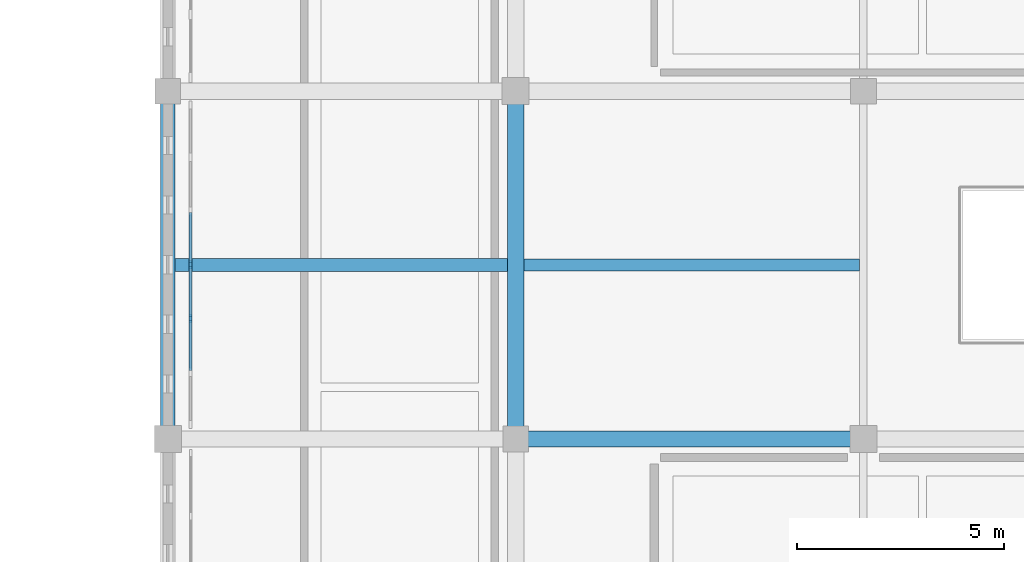
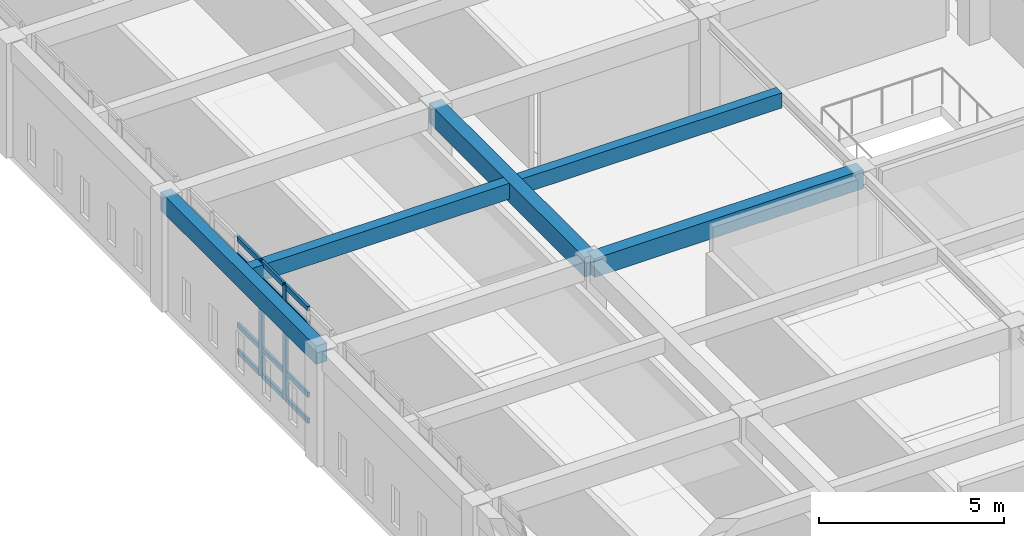
# One storey, part 7 of 47: 14 members, 5 beams, 1 element without a shape of its own.
"""IFC4 building model written with IfcOpenShell, lengths in metres."""

import ifcopenshell
import ifcopenshell.guid

model = None  # the IFC model being written
_history = None  # IfcOwnerHistory: only IFC2X3 demands one
_inside = {}  # id of a spatial element -> (the spatial element, [elements in it])
_under = {}  # id of a project, library or spatial element -> (it, [spatial elements below it])
_declared = {}  # id of a project -> (the project, [libraries it declares])
_typed = {}  # id of a type object -> (the type object, [elements of that type])
_made_of = {}  # id of a material, layer set ... -> (it, [elements and type objects made of it])


def new_model(schema):
    """Start an empty IFC model of exactly this schema.

    Asked for "IFC4X3", IfcOpenShell would pick the latest addendum, in which some entities
    have other attributes; the version numbers below select the first issue.
    IFC2X3 requires an IfcOwnerHistory on every rooted entity: one is made here for all.
    """
    global model, _history
    if schema == "IFC4X3":
        model = ifcopenshell.file(schema_version=(4, 3, 0, 0))
    else:
        model = ifcopenshell.file(schema=schema)
    _inside.clear()
    _under.clear()
    _declared.clear()
    _typed.clear()
    _made_of.clear()
    _history = None
    if model.schema == "IFC2X3":
        org = make("IfcOrganization", Name="unknown")
        user = make(
            "IfcPersonAndOrganization",
            ThePerson=make("IfcPerson", FamilyName="unknown"),
            TheOrganization=org,
        )
        app = make(
            "IfcApplication",
            ApplicationDeveloper=org,
            Version="unknown",
            ApplicationFullName="unknown",
            ApplicationIdentifier="unknown",
        )
        _history = make(
            "IfcOwnerHistory",
            OwningUser=user,
            OwningApplication=app,
            ChangeAction="ADDED",
            CreationDate=0,
        )
    return model


def make(cls, **values):
    """One entity of the class cls with the attributes given. An attribute that is None is left unset."""
    return model.create_entity(
        cls, **{name: value for name, value in values.items() if value is not None}
    )


def rooted(cls, **values):
    """An entity with a GlobalId (a new one), such as an element, a storey or a relation."""
    return make(cls, GlobalId=ifcopenshell.guid.new(), OwnerHistory=_history, **values)


def si_unit(unit_type, name, prefix=None):
    """IfcSIUnit, for example si_unit("LENGTHUNIT", "METRE", prefix="MILLI")."""
    return make("IfcSIUnit", UnitType=unit_type, Prefix=prefix, Name=name)


def assignment(units):
    """IfcUnitAssignment: the units of a project."""
    return None if units is None else make("IfcUnitAssignment", Units=units)


def point(xyz):
    """IfcCartesianPoint."""
    return None if xyz is None else make("IfcCartesianPoint", Coordinates=xyz)


def direction(xyz):
    """IfcDirection."""
    return None if xyz is None else make("IfcDirection", DirectionRatios=xyz)


def frame(location, z_axis=None, x_axis=None):
    """IfcAxis2Placement3D, a coordinate frame: its origin and axes. An axis left out is left unset."""
    return make(
        "IfcAxis2Placement3D",
        Location=point(location),
        Axis=direction(z_axis),
        RefDirection=direction(x_axis),
    )


def frame_2d(location, x_axis=None):
    """IfcAxis2Placement2D, a coordinate frame in the plane: its origin and x axis."""
    return make(
        "IfcAxis2Placement2D", Location=point(location), RefDirection=direction(x_axis)
    )


def origin():
    """The frame at (0, 0, 0) with its axes left unset."""
    return frame((0.0, 0.0, 0.0))


def origin_2d():
    """The frame at (0, 0) in the plane with its x axis left unset."""
    return frame_2d((0.0, 0.0))


def place(relative_to, where):
    """IfcLocalPlacement: puts the frame where relative to a parent placement (None: the world)."""
    return make(
        "IfcLocalPlacement", PlacementRelTo=relative_to, RelativePlacement=where
    )


def context(
    kind, dimensions, precision=None, world=None, true_north=None, identifier=None
):
    """IfcGeometricRepresentationContext, for example the 3D "Model" context."""
    return make(
        "IfcGeometricRepresentationContext",
        ContextIdentifier=identifier,
        ContextType=kind,
        CoordinateSpaceDimension=dimensions,
        Precision=precision,
        WorldCoordinateSystem=world,
        TrueNorth=true_north,
    )


def subcontext(parent, identifier, kind, view, scale=None):
    """IfcGeometricRepresentationSubContext, for example "Body" below "Model"."""
    return make(
        "IfcGeometricRepresentationSubContext",
        ContextIdentifier=identifier,
        ContextType=kind,
        ParentContext=parent,
        TargetScale=scale,
        TargetView=view,
    )


def project(units=None, contexts=None):
    """IfcProject with its units and contexts."""
    return rooted(
        "IfcProject",
        Name="project",
        RepresentationContexts=contexts,
        UnitsInContext=assignment(units),
    )


def spatial(cls, under=None, at=None, **own):
    """A site, building, storey or space (cls), placed at a placement, below another one or the project."""
    s = rooted(cls, ObjectPlacement=at, **own)
    if under is not None:
        _under.setdefault(under.id(), (under, []))[1].append(s)
    return s


def profile(cls, at=None, kind="AREA", **sizes):
    """A parametric profile (cls). Its sizes go by their IFC names, for example OverallWidth=200.0."""
    return make(cls, ProfileType=kind, Position=at, **sizes)


def rectangle(**sizes):
    """IfcRectangleProfileDef."""
    return profile("IfcRectangleProfileDef", **sizes)


def extrude(swept, where, along, depth):
    """IfcExtrudedAreaSolid: the profile swept, set in the frame where, extruded along a direction by depth."""
    return make(
        "IfcExtrudedAreaSolid",
        SweptArea=swept,
        Position=where,
        ExtrudedDirection=direction(along),
        Depth=depth,
    )


def shape(context_of_items, identifier, shape_type, items):
    """IfcShapeRepresentation: the items that make up one representation, for example the "Body"."""
    return make(
        "IfcShapeRepresentation",
        ContextOfItems=context_of_items,
        RepresentationIdentifier=identifier,
        RepresentationType=shape_type,
        Items=items,
    )


def material(Name=None, Category=None):
    """IfcMaterial."""
    return make("IfcMaterial", Name=Name, Category=Category)


def layer(
    of_material, thickness, ventilated=None, Name=None, Category=None, Priority=None
):
    """IfcMaterialLayer: one layer of a wall or slab, of a material (None: an air gap)."""
    return make(
        "IfcMaterialLayer",
        Material=of_material,
        LayerThickness=thickness,
        IsVentilated=ventilated,
        Name=Name,
        Category=Category,
        Priority=Priority,
    )


def layer_set(layers, Name=None):
    """IfcMaterialLayerSet."""
    return make("IfcMaterialLayerSet", MaterialLayers=layers, LayerSetName=Name)


def material_profile(
    of_material, cross_section, Name=None, Category=None, Priority=None
):
    """IfcMaterialProfile: a cross section and its material."""
    return make(
        "IfcMaterialProfile",
        Name=Name,
        Material=of_material,
        Profile=cross_section,
        Priority=Priority,
        Category=Category,
    )


def profile_set(profiles, Name=None, composite=None):
    """IfcMaterialProfileSet."""
    return make(
        "IfcMaterialProfileSet",
        Name=Name,
        MaterialProfiles=profiles,
        CompositeProfile=composite,
    )


def made_of(thing, what):
    """Note that an element or type object is made of a material, layer set ...; save() writes the relation."""
    if what is not None:
        _made_of.setdefault(what.id(), (what, []))[1].append(thing)
    return thing


def type_object(cls, material=None, **own):
    """A type object (cls), such as IfcWallType, which elements share."""
    return made_of(rooted(cls, **own), material)


def element(
    cls,
    number,
    at=None,
    inside=None,
    cuts=None,
    type_object=None,
    material=None,
    context=None,
    identifier="Body",
    shape_type=None,
    held_by="IfcProductDefinitionShape",
    body=None,
    shapes=None,
    **own,
):
    """One element of the class cls, such as IfcWall. Its Tag is "e" and its number.

    at: its placement. inside: the storey or other place that contains it. cuts: it is an
    opening in that element (IfcRelVoidsElement). A single representation is given by context,
    identifier, shape_type and body (its items); several are given by shapes. held_by: the class
    of the entity that holds the representations. save() writes the other relations.
    """
    e = rooted(cls, Tag="e%d" % number, ObjectPlacement=at, **own)
    if body is not None:
        shapes = [shape(context, identifier, shape_type, body)]
    if shapes is not None:
        e.Representation = make(held_by, Representations=shapes)
    if inside is not None:
        _inside.setdefault(inside.id(), (inside, []))[1].append(e)
    if cuts is not None:
        rooted(
            "IfcRelVoidsElement", RelatingBuildingElement=cuts, RelatedOpeningElement=e
        )
    if type_object is not None:
        _typed.setdefault(type_object.id(), (type_object, []))[1].append(e)
    return made_of(e, material)


def aggregate(whole, parts):
    """IfcRelAggregates: a whole, such as a stair, and the parts it consists of."""
    return rooted("IfcRelAggregates", RelatingObject=whole, RelatedObjects=parts)


def save(model, path):
    """Write the relations noted so far, then the file.

    IfcRelAggregates (storeys below a building ...), IfcRelContainedInSpatialStructure (elements
    in a storey), IfcRelDefinesByType, IfcRelAssociatesMaterial and IfcRelDeclares: one each for
    every whole, place, type object, material and project.
    """
    for whole, parts in _under.values():
        aggregate(whole, parts)
    for where, things in _inside.values():
        rooted(
            "IfcRelContainedInSpatialStructure",
            RelatedElements=things,
            RelatingStructure=where,
        )
    for kind, things in _typed.values():
        rooted("IfcRelDefinesByType", RelatedObjects=things, RelatingType=kind)
    for what, things in _made_of.values():
        rooted("IfcRelAssociatesMaterial", RelatedObjects=things, RelatingMaterial=what)
    for by, libraries in _declared.values():
        rooted("IfcRelDeclares", RelatingContext=by, RelatedDefinitions=libraries)
    model.write(path)


model = new_model("IFC4")

# Units and contexts
model_context = context("Model", 3, precision=1e-05, world=origin(), true_north=direction((0.0, 1.0)))
body_context = subcontext(model_context, "Body", "Model", "MODEL_VIEW")
ifc_project = project(units=[si_unit("LENGTHUNIT", "METRE"), si_unit("AREAUNIT", "SQUARE_METRE"), si_unit("VOLUMEUNIT", "CUBIC_METRE"), si_unit("PLANEANGLEUNIT", "RADIAN"), si_unit("MASSUNIT", "GRAM", prefix="KILO")], contexts=[model_context])

# Site, building, storey
site_placement = place(None, origin())
site = spatial("IfcSite", under=ifc_project, at=site_placement, CompositionType="ELEMENT")
building_placement = place(site_placement, origin())
building = spatial("IfcBuilding", under=site, at=building_placement, Name="Kveldsbrygga Polytechnic", CompositionType="ELEMENT")
storey_placement = place(building_placement, frame((0.0, 0.0, 13.93994140625)))
storey = spatial("IfcBuildingStorey", under=building, at=storey_placement, Name="L03", CompositionType="ELEMENT", Elevation=13.93994140625)

# Beams
ifc_material_1 = material(Name="Concrete C35/45", Category="concrete")
ifc_material_profile_1 = material_profile(ifc_material_1, rectangle(XDim=0.3798828125, YDim=0.6201171875, at=origin_2d()), Name="RC 380x620")
ifc_profile_set_1 = profile_set([ifc_material_profile_1], Name="Concrete C35/45")
beam_type_1 = type_object("IfcBeamType", Name="BM-RC-380x620", PredefinedType="BEAM", material=ifc_profile_set_1)
beam_1_placement = place(storey_placement, frame((134.39990234375, 58.800048828125, 3.43994140625), z_axis=(1.0, 0.0, 0.0), x_axis=(0.0, 1.0, 0.0)))
element("IfcBeam", 1, at=beam_1_placement, inside=storey, type_object=beam_type_1, Name="Primary Beam BMX-L03-16to17-07", PredefinedType="BEAM", context=body_context, shape_type="SweptSolid", body=[
    extrude(rectangle(XDim=0.3798828125, YDim=0.6201171875, at=origin_2d()), origin(), (0.0, 0.0, 1.0), 8.400146484375),
])
ifc_material_profile_2 = material_profile(ifc_material_1, rectangle(XDim=0.39990234375, YDim=0.64990234375, at=origin_2d()), Name="RC 400x650")
ifc_profile_set_2 = profile_set([ifc_material_profile_2], Name="Concrete C35/45")
beam_type_2 = type_object("IfcBeamType", Name="BM-RC-400x650", PredefinedType="BEAM", material=ifc_profile_set_2)
beam_2_placement = place(storey_placement, frame((134.39990234375, 58.800048828125, 3.425048828125), z_axis=(0.0, 1.0, 0.0), x_axis=(-1.0, 0.0, 0.0)))
element("IfcBeam", 2, at=beam_2_placement, inside=storey, type_object=beam_type_2, Name="Primary Beam BMY-L03-16-07to08", PredefinedType="BEAM", context=body_context, shape_type="SweptSolid", body=[
    extrude(rectangle(XDim=0.39990234375, YDim=0.64990234375, at=origin_2d()), origin(), (0.0, 0.0, 1.0), 8.39990234375),
])
ifc_material_profile_3 = material_profile(ifc_material_1, rectangle(XDim=0.35009765625, YDim=0.60009765625, at=origin_2d()), Name="RC 350x600")
ifc_profile_set_3 = profile_set([ifc_material_profile_3], Name="Concrete C35/45")
beam_type_3 = type_object("IfcBeamType", Name="BM-SPANDREL-600", PredefinedType="T_BEAM", material=ifc_profile_set_3)
beam_3_placement = place(storey_placement, frame((126.0, 58.800048828125, 3.449951171875), z_axis=(0.0, 1.0, 0.0), x_axis=(-1.0, 0.0, 0.0)))
element("IfcBeam", 3, at=beam_3_placement, inside=storey, type_object=beam_type_3, Name="Primary Beam BMY-L03-15-07to08", PredefinedType="T_BEAM", context=body_context, shape_type="SweptSolid", body=[
    extrude(rectangle(XDim=0.35009765625, YDim=0.60009765625, at=origin_2d()), origin(), (0.0, 0.0, 1.0), 8.39990234375),
])

# Curtain wall, members
ifc_material_2 = material(Name="Anodised aluminium AW-6060", Category="aluminium")
ifc_layer = layer(ifc_material_2, 0.159912109375)
ifc_layer_set = layer_set([ifc_layer], Name="Anodised aluminium AW-6060")
curtain_wall_type = type_object("IfcCurtainWallType", Name="CW-CLER-C", PredefinedType="USERDEFINED", material=ifc_layer_set)
curtain_wall_placement = place(storey_placement, origin())
curtain_wall = element("IfcCurtainWall", 4, at=curtain_wall_placement, inside=storey, type_object=curtain_wall_type, Name="Curtain Wall CW-L03-Y-15-07", ObjectType="STICK CURTAIN WALL", PredefinedType="USERDEFINED")
ifc_material_profile_4 = material_profile(ifc_material_2, rectangle(XDim=0.074951171875, YDim=0.199951171875, at=origin_2d()), Name="ALU 75x200")
ifc_profile_set_4 = profile_set([ifc_material_profile_4], Name="Anodised aluminium AW-6060")
member_type_1 = type_object("IfcMemberType", Name="CW-MUL-200", PredefinedType="MULLION", material=ifc_profile_set_4)
member_1_placement = place(storey_placement, frame((126.550048828125, 61.708251953125, 0.0), z_axis=(0.0, 0.0, 1.0), x_axis=(-1.0, 0.0, 0.0)))
member_1 = element("IfcMember", 5, at=member_1_placement, type_object=member_type_1, Name="CW-03 mullion 3", PredefinedType="MULLION", context=body_context, shape_type="SweptSolid", body=[
    extrude(rectangle(XDim=0.074951171875, YDim=0.199951171875, at=origin_2d()), origin(), (0.0, 0.0, 1.0), 3.780029296875),
])
member_2_placement = place(storey_placement, frame((126.550048828125, 63.007568359375, 0.0), z_axis=(0.0, 0.0, 1.0), x_axis=(-1.0, 0.0, 0.0)))
member_2 = element("IfcMember", 6, at=member_2_placement, type_object=member_type_1, Name="CW-03 mullion 4", PredefinedType="MULLION", context=body_context, shape_type="SweptSolid", body=[
    extrude(rectangle(XDim=0.074951171875, YDim=0.199951171875, at=origin_2d()), origin(), (0.0, 0.0, 1.0), 3.780029296875),
])
ifc_material_profile_5 = material_profile(ifc_material_2, rectangle(XDim=0.074951171875, YDim=0.159912109375, at=origin_2d()), Name="ALU 75x160")
ifc_profile_set_5 = profile_set([ifc_material_profile_5], Name="Anodised aluminium AW-6060")
member_type_2 = type_object("IfcMemberType", Name="CW-TRN-160", PredefinedType="USERDEFINED", material=ifc_profile_set_5)
member_3_placement = place(storey_placement, frame((126.550048828125, 60.44677734375, 0.03759765625), z_axis=(0.0, 1.0, 0.0), x_axis=(-1.0, 0.0, 0.0)))
member_3 = element("IfcMember", 7, at=member_3_placement, type_object=member_type_2, Name="CW-03 transom 2.1", ObjectType="TRANSOM", PredefinedType="USERDEFINED", context=body_context, shape_type="SweptSolid", body=[
    extrude(rectangle(XDim=0.074951171875, YDim=0.159912109375, at=origin_2d()), origin(), (0.0, 0.0, 1.0), 1.22412109375),
])
member_4_placement = place(storey_placement, frame((126.550048828125, 60.44677734375, 0.900146484375), z_axis=(0.0, 1.0, 0.0), x_axis=(-1.0, 0.0, 0.0)))
member_4 = element("IfcMember", 8, at=member_4_placement, type_object=member_type_2, Name="CW-03 transom 2.2", ObjectType="TRANSOM", PredefinedType="USERDEFINED", context=body_context, shape_type="SweptSolid", body=[
    extrude(rectangle(XDim=0.074951171875, YDim=0.159912109375, at=origin_2d()), origin(), (0.0, 0.0, 1.0), 1.22412109375),
])
member_5_placement = place(storey_placement, frame((126.550048828125, 60.44677734375, 3.22998046875), z_axis=(0.0, 1.0, 0.0), x_axis=(-1.0, 0.0, 0.0)))
member_5 = element("IfcMember", 9, at=member_5_placement, type_object=member_type_2, Name="CW-03 transom 2.3", ObjectType="TRANSOM", PredefinedType="USERDEFINED", context=body_context, shape_type="SweptSolid", body=[
    extrude(rectangle(XDim=0.074951171875, YDim=0.159912109375, at=origin_2d()), origin(), (0.0, 0.0, 1.0), 1.22412109375),
])
member_6_placement = place(storey_placement, frame((126.550048828125, 60.44677734375, 3.74267578125), z_axis=(0.0, 1.0, 0.0), x_axis=(-1.0, 0.0, 0.0)))
member_6 = element("IfcMember", 10, at=member_6_placement, type_object=member_type_2, Name="CW-03 transom 2.4", ObjectType="TRANSOM", PredefinedType="USERDEFINED", context=body_context, shape_type="SweptSolid", body=[
    extrude(rectangle(XDim=0.074951171875, YDim=0.159912109375, at=origin_2d()), origin(), (0.0, 0.0, 1.0), 1.22412109375),
])
member_7_placement = place(storey_placement, frame((126.550048828125, 61.745849609375, 0.03759765625), z_axis=(0.0, 1.0, 0.0), x_axis=(-1.0, 0.0, 0.0)))
member_7 = element("IfcMember", 11, at=member_7_placement, type_object=member_type_2, Name="CW-03 transom 3.1", ObjectType="TRANSOM", PredefinedType="USERDEFINED", context=body_context, shape_type="SweptSolid", body=[
    extrude(rectangle(XDim=0.074951171875, YDim=0.159912109375, at=origin_2d()), origin(), (0.0, 0.0, 1.0), 1.22412109375),
])
member_8_placement = place(storey_placement, frame((126.550048828125, 61.745849609375, 0.900146484375), z_axis=(0.0, 1.0, 0.0), x_axis=(-1.0, 0.0, 0.0)))
member_8 = element("IfcMember", 12, at=member_8_placement, type_object=member_type_2, Name="CW-03 transom 3.2", ObjectType="TRANSOM", PredefinedType="USERDEFINED", context=body_context, shape_type="SweptSolid", body=[
    extrude(rectangle(XDim=0.074951171875, YDim=0.159912109375, at=origin_2d()), origin(), (0.0, 0.0, 1.0), 1.22412109375),
])
member_9_placement = place(storey_placement, frame((126.550048828125, 61.745849609375, 3.22998046875), z_axis=(0.0, 1.0, 0.0), x_axis=(-1.0, 0.0, 0.0)))
member_9 = element("IfcMember", 13, at=member_9_placement, type_object=member_type_2, Name="CW-03 transom 3.3", ObjectType="TRANSOM", PredefinedType="USERDEFINED", context=body_context, shape_type="SweptSolid", body=[
    extrude(rectangle(XDim=0.074951171875, YDim=0.159912109375, at=origin_2d()), origin(), (0.0, 0.0, 1.0), 1.22412109375),
])
member_10_placement = place(storey_placement, frame((126.550048828125, 61.745849609375, 3.74267578125), z_axis=(0.0, 1.0, 0.0), x_axis=(-1.0, 0.0, 0.0)))
member_10 = element("IfcMember", 14, at=member_10_placement, type_object=member_type_2, Name="CW-03 transom 3.4", ObjectType="TRANSOM", PredefinedType="USERDEFINED", context=body_context, shape_type="SweptSolid", body=[
    extrude(rectangle(XDim=0.074951171875, YDim=0.159912109375, at=origin_2d()), origin(), (0.0, 0.0, 1.0), 1.22412109375),
])
member_11_placement = place(storey_placement, frame((126.550048828125, 63.044921875, 0.03759765625), z_axis=(0.0, 1.0, 0.0), x_axis=(-1.0, 0.0, 0.0)))
member_11 = element("IfcMember", 15, at=member_11_placement, type_object=member_type_2, Name="CW-03 transom 4.1", ObjectType="TRANSOM", PredefinedType="USERDEFINED", context=body_context, shape_type="SweptSolid", body=[
    extrude(rectangle(XDim=0.074951171875, YDim=0.159912109375, at=origin_2d()), origin(), (0.0, 0.0, 1.0), 1.224365234375),
])
member_12_placement = place(storey_placement, frame((126.550048828125, 63.044921875, 0.900146484375), z_axis=(0.0, 1.0, 0.0), x_axis=(-1.0, 0.0, 0.0)))
member_12 = element("IfcMember", 16, at=member_12_placement, type_object=member_type_2, Name="CW-03 transom 4.2", ObjectType="TRANSOM", PredefinedType="USERDEFINED", context=body_context, shape_type="SweptSolid", body=[
    extrude(rectangle(XDim=0.074951171875, YDim=0.159912109375, at=origin_2d()), origin(), (0.0, 0.0, 1.0), 1.224365234375),
])
member_13_placement = place(storey_placement, frame((126.550048828125, 63.044921875, 3.22998046875), z_axis=(0.0, 1.0, 0.0), x_axis=(-1.0, 0.0, 0.0)))
member_13 = element("IfcMember", 17, at=member_13_placement, type_object=member_type_2, Name="CW-03 transom 4.3", ObjectType="TRANSOM", PredefinedType="USERDEFINED", context=body_context, shape_type="SweptSolid", body=[
    extrude(rectangle(XDim=0.074951171875, YDim=0.159912109375, at=origin_2d()), origin(), (0.0, 0.0, 1.0), 1.224365234375),
])
member_14_placement = place(storey_placement, frame((126.550048828125, 63.044921875, 3.74267578125), z_axis=(0.0, 1.0, 0.0), x_axis=(-1.0, 0.0, 0.0)))
member_14 = element("IfcMember", 18, at=member_14_placement, type_object=member_type_2, Name="CW-03 transom 4.4", ObjectType="TRANSOM", PredefinedType="USERDEFINED", context=body_context, shape_type="SweptSolid", body=[
    extrude(rectangle(XDim=0.074951171875, YDim=0.159912109375, at=origin_2d()), origin(), (0.0, 0.0, 1.0), 1.224365234375),
])
aggregate(curtain_wall, [member_1, member_2, member_3, member_4, member_5, member_6, member_7, member_8, member_9, member_10, member_11, member_12, member_13, member_14])

# Beams
ifc_material_profile_6 = material_profile(ifc_material_1, rectangle(XDim=0.300048828125, YDim=0.5, at=origin_2d()), Name="RC 300x500")
ifc_profile_set_6 = profile_set([ifc_material_profile_6], Name="Concrete C35/45")
beam_type_4 = type_object("IfcBeamType", Name="JST-RC-300x500", PredefinedType="JOIST", material=ifc_profile_set_6)
beam_4_placement = place(storey_placement, frame((134.60009765625, 63.0, 3.5), z_axis=(1.0, 0.0, 0.0), x_axis=(0.0, 1.0, 0.0)))
element("IfcBeam", 19, at=beam_4_placement, inside=storey, type_object=beam_type_4, Name="Secondary Joist JST-L03-16-07", PredefinedType="JOIST", context=body_context, shape_type="SweptSolid", body=[
    extrude(rectangle(XDim=0.300048828125, YDim=0.5, at=origin_2d()), origin(), (0.0, 0.0, 1.0), 8.10986328125),
])
ifc_material_profile_7 = material_profile(ifc_material_1, rectangle(XDim=0.320068359375, YDim=0.52001953125, at=origin_2d()), Name="RC 320x520")
ifc_profile_set_7 = profile_set([ifc_material_profile_7], Name="Concrete C35/45")
beam_type_5 = type_object("IfcBeamType", Name="JST-RC-320x520", PredefinedType="JOIST", material=ifc_profile_set_7)
beam_5_placement = place(storey_placement, frame((126.175048828125, 63.0, 3.489990234375), z_axis=(1.0, 0.0, 0.0), x_axis=(0.0, 1.0, 0.0)))
element("IfcBeam", 20, at=beam_5_placement, inside=storey, type_object=beam_type_5, Name="Secondary Joist JST-L03-15-07", PredefinedType="JOIST", context=body_context, shape_type="SweptSolid", body=[
    extrude(rectangle(XDim=0.320068359375, YDim=0.52001953125, at=origin_2d()), origin(), (0.0, 0.0, 1.0), 8.02490234375),
])

save(model, "model.ifc")
